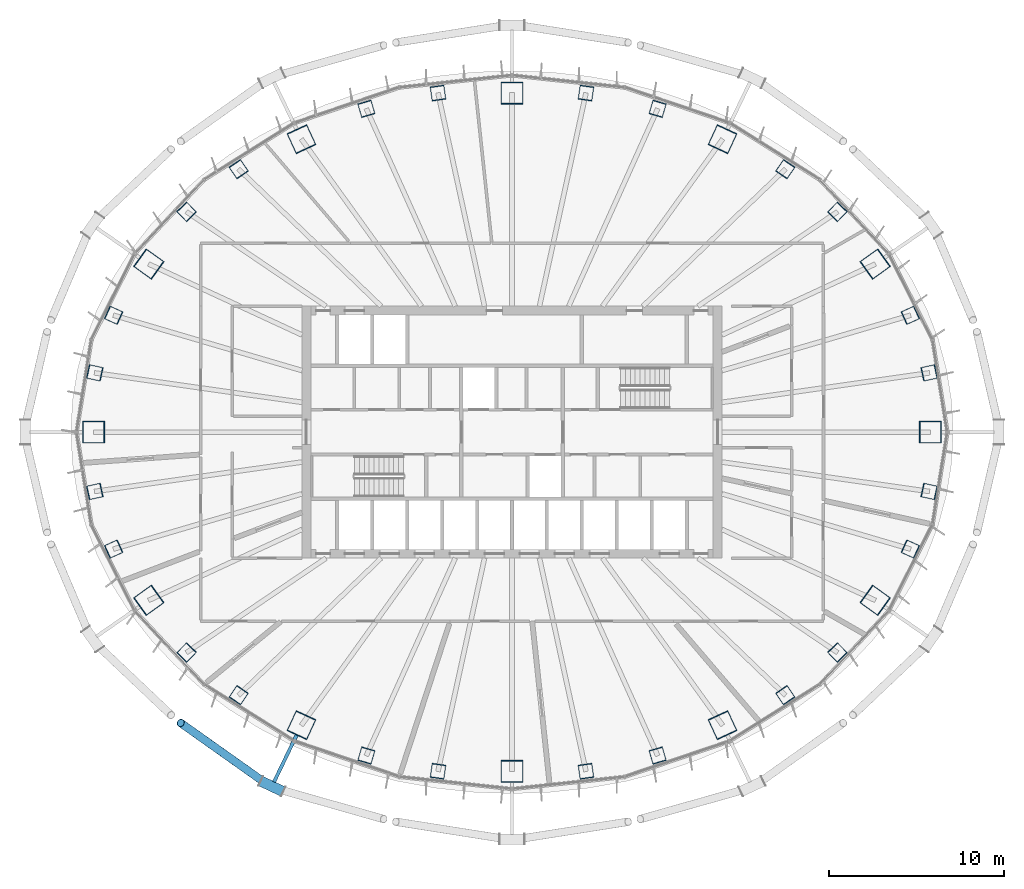
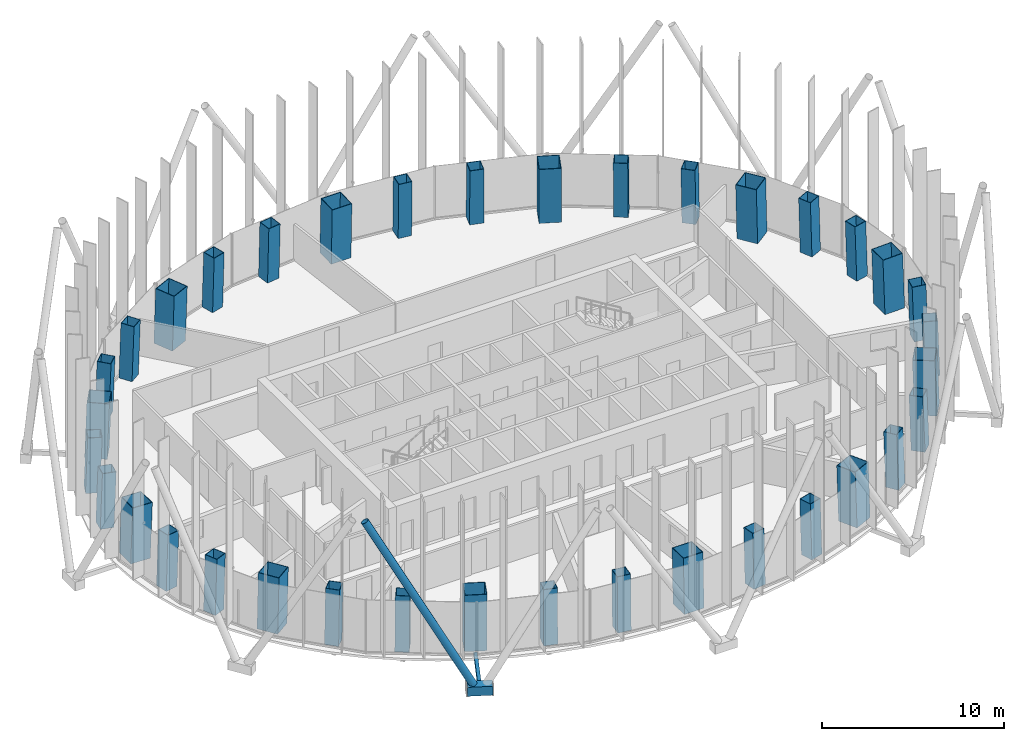
# One storey, part 1 of 19: 36 columns, 3 members.
"""IFC4 building model written with IfcOpenShell, lengths in metres."""

from ifc_helpers import new_model, si_unit, direction, frame, origin, origin_2d, place, context, subcontext, project, spatial, hollow_rectangle, hollow_circle, extrude, material, material_profile, profile_set, type_object, element, save


model = new_model("IFC4")

# Units and contexts
model_context = context("Model", 3, precision=1e-05, world=origin(), true_north=direction((0.0, 1.0)))
body_context = subcontext(model_context, "Body", "Model", "MODEL_VIEW")
ifc_project = project(units=[si_unit("LENGTHUNIT", "METRE"), si_unit("AREAUNIT", "SQUARE_METRE"), si_unit("VOLUMEUNIT", "CUBIC_METRE"), si_unit("PLANEANGLEUNIT", "RADIAN"), si_unit("MASSUNIT", "GRAM", prefix="KILO")], contexts=[model_context])

# Site, building, storey
site_placement = place(None, origin())
site = spatial("IfcSite", under=ifc_project, at=site_placement, CompositionType="ELEMENT")
building_placement = place(site_placement, origin())
building = spatial("IfcBuilding", under=site, at=building_placement, Name="Siaravel Broadcast Tower", CompositionType="ELEMENT")
storey_placement = place(building_placement, frame((0.0, 0.0, 130.39990234375)))
storey = spatial("IfcBuildingStorey", under=building, at=storey_placement, Name="L31", CompositionType="ELEMENT", Elevation=130.39990234375)

# Columns
ifc_material_1 = material(Name="Concrete C60/75", Category="concrete")
ifc_material_profile_1 = material_profile(ifc_material_1, hollow_rectangle(XDim=1.25, YDim=1.25, WallThickness=0.031982421875, at=origin_2d()))
ifc_profile_set_1 = profile_set([ifc_material_profile_1], Name="Concrete C60/75")
column_type_1 = type_object("IfcColumnType", Name="COL-CFT BOX 1250x1250x32", PredefinedType="COLUMN", material=ifc_profile_set_1)
column_1_placement = place(storey_placement, frame((23.928955078125, 0.0, 0.0), z_axis=(-0.034553121, 0.0, 0.999402863), x_axis=(0.0, -1.0, 0.0)))
element("IfcColumn", 1, at=column_1_placement, inside=storey, type_object=column_type_1, Name="Megacolumn MC01", PredefinedType="COLUMN", context=body_context, shape_type="SweptSolid", body=[
    extrude(hollow_rectangle(XDim=1.25, YDim=1.25, WallThickness=0.031982421875, at=origin_2d()), origin(), (0.0, 0.0, 1.0), 3.702392578125),
])
column_2_placement = place(storey_placement, frame((20.776611328125, 9.6171875, 0.0), z_axis=(-0.029938693, -0.014178016, 0.999451179), x_axis=(0.583179319, -0.812321691, 0.00594578)))
element("IfcColumn", 2, at=column_2_placement, inside=storey, type_object=column_type_1, Name="Megacolumn MC02", PredefinedType="COLUMN", context=body_context, shape_type="SweptSolid", body=[
    extrude(hollow_rectangle(XDim=1.25, YDim=1.25, WallThickness=0.031982421875, at=origin_2d()), origin(), (0.0, 0.0, 1.0), 3.7021484375),
])
column_3_placement = place(storey_placement, frame((12.044189453125, 16.760498046875, 0.0), z_axis=(-0.017279098, -0.024533681, 0.999549664), x_axis=(0.907978887, -0.418980963, 0.005412348)))
element("IfcColumn", 3, at=column_3_placement, inside=storey, type_object=column_type_1, Name="Megacolumn MC03", PredefinedType="COLUMN", context=body_context, shape_type="SweptSolid", body=[
    extrude(hollow_rectangle(XDim=1.25, YDim=1.25, WallThickness=0.031982421875, at=origin_2d()), origin(), (0.0, 0.0, 1.0), 3.701904296875),
])
column_4_placement = place(storey_placement, frame((0.0, 19.401611328125, 0.0), z_axis=(0.0, -0.02836019, 0.999597769), x_axis=(1.0, 0.0, 0.0)))
element("IfcColumn", 4, at=column_4_placement, inside=storey, type_object=column_type_1, Name="Megacolumn MC04", PredefinedType="COLUMN", context=body_context, shape_type="SweptSolid", body=[
    extrude(hollow_rectangle(XDim=1.25, YDim=1.25, WallThickness=0.031982421875, at=origin_2d()), origin(), (0.0, 0.0, 1.0), 3.70166015625),
])
column_5_placement = place(storey_placement, frame((-12.044189453125, 16.760498046875, 0.0), z_axis=(0.017279098, -0.024533681, 0.999549664), x_axis=(0.907978887, 0.418980963, -0.005412348)))
element("IfcColumn", 5, at=column_5_placement, inside=storey, type_object=column_type_1, Name="Megacolumn MC05", PredefinedType="COLUMN", context=body_context, shape_type="SweptSolid", body=[
    extrude(hollow_rectangle(XDim=1.25, YDim=1.25, WallThickness=0.031982421875, at=origin_2d()), origin(), (0.0, 0.0, 1.0), 3.701904296875),
])
column_6_placement = place(storey_placement, frame((-20.776611328125, 9.6171875, 0.0), z_axis=(0.029938693, -0.014178016, 0.999451179), x_axis=(0.583179319, 0.812321691, -0.00594578)))
element("IfcColumn", 6, at=column_6_placement, inside=storey, type_object=column_type_1, Name="Megacolumn MC06", PredefinedType="COLUMN", context=body_context, shape_type="SweptSolid", body=[
    extrude(hollow_rectangle(XDim=1.25, YDim=1.25, WallThickness=0.031982421875, at=origin_2d()), origin(), (0.0, 0.0, 1.0), 3.7021484375),
])
column_7_placement = place(storey_placement, frame((-23.928955078125, 0.0, 0.0), z_axis=(0.034553121, 0.0, 0.999402863), x_axis=(0.0, 1.0, 0.0)))
element("IfcColumn", 7, at=column_7_placement, inside=storey, type_object=column_type_1, Name="Megacolumn MC07", PredefinedType="COLUMN", context=body_context, shape_type="SweptSolid", body=[
    extrude(hollow_rectangle(XDim=1.25, YDim=1.25, WallThickness=0.031982421875, at=origin_2d()), origin(), (0.0, 0.0, 1.0), 3.702392578125),
])
column_8_placement = place(storey_placement, frame((-20.776611328125, -9.6171875, 0.0), z_axis=(0.029938693, 0.014178016, 0.999451179), x_axis=(-0.583179319, 0.812321691, 0.00594578)))
element("IfcColumn", 8, at=column_8_placement, inside=storey, type_object=column_type_1, Name="Megacolumn MC08", PredefinedType="COLUMN", context=body_context, shape_type="SweptSolid", body=[
    extrude(hollow_rectangle(XDim=1.25, YDim=1.25, WallThickness=0.031982421875, at=origin_2d()), origin(), (0.0, 0.0, 1.0), 3.7021484375),
])
column_9_placement = place(storey_placement, frame((-12.044189453125, -16.760498046875, 0.0), z_axis=(0.017279098, 0.024533681, 0.999549664), x_axis=(-0.907978887, 0.418980963, 0.005412348)))
element("IfcColumn", 9, at=column_9_placement, inside=storey, type_object=column_type_1, Name="Megacolumn MC09", PredefinedType="COLUMN", context=body_context, shape_type="SweptSolid", body=[
    extrude(hollow_rectangle(XDim=1.25, YDim=1.25, WallThickness=0.031982421875, at=origin_2d()), origin(), (0.0, 0.0, 1.0), 3.701904296875),
])
column_10_placement = place(storey_placement, frame((0.0, -19.401611328125, 0.0), z_axis=(0.0, 0.02836019, 0.999597769), x_axis=(-1.0, 0.0, 0.0)))
element("IfcColumn", 10, at=column_10_placement, inside=storey, type_object=column_type_1, Name="Megacolumn MC10", PredefinedType="COLUMN", context=body_context, shape_type="SweptSolid", body=[
    extrude(hollow_rectangle(XDim=1.25, YDim=1.25, WallThickness=0.031982421875, at=origin_2d()), origin(), (0.0, 0.0, 1.0), 3.70166015625),
])
column_11_placement = place(storey_placement, frame((12.044189453125, -16.760498046875, 0.0), z_axis=(-0.017279098, 0.024533681, 0.999549664), x_axis=(-0.907978887, -0.418980963, -0.005412348)))
element("IfcColumn", 11, at=column_11_placement, inside=storey, type_object=column_type_1, Name="Megacolumn MC11", PredefinedType="COLUMN", context=body_context, shape_type="SweptSolid", body=[
    extrude(hollow_rectangle(XDim=1.25, YDim=1.25, WallThickness=0.031982421875, at=origin_2d()), origin(), (0.0, 0.0, 1.0), 3.701904296875),
])
column_12_placement = place(storey_placement, frame((20.776611328125, -9.6171875, 0.0), z_axis=(-0.029938693, 0.014178016, 0.999451179), x_axis=(-0.583179319, -0.812321691, -0.00594578)))
element("IfcColumn", 12, at=column_12_placement, inside=storey, type_object=column_type_1, Name="Megacolumn MC12", PredefinedType="COLUMN", context=body_context, shape_type="SweptSolid", body=[
    extrude(hollow_rectangle(XDim=1.25, YDim=1.25, WallThickness=0.031982421875, at=origin_2d()), origin(), (0.0, 0.0, 1.0), 3.7021484375),
])
ifc_material_profile_2 = material_profile(ifc_material_1, hollow_rectangle(XDim=0.800048828125, YDim=0.800048828125, WallThickness=0.02490234375, at=origin_2d()))
ifc_profile_set_2 = profile_set([ifc_material_profile_2], Name="Concrete C60/75")
column_type_2 = type_object("IfcColumnType", Name="COL-CFT BOX 800x800x25", PredefinedType="COLUMN", material=ifc_profile_set_2)
for number, where, z_axis, x_axis, name in (
    (13, (23.86669921875, 3.3916015625, 0.0), (-0.034091668, -0.004879658, 0.999406798), (0.211379042, -0.977401123, 0.002438327), "Perimeter column C01"),
    (14, (22.78857421875, 6.68701171875, 0.0), (-0.032509649, -0.009693546, 0.999424413), (0.409965231, -0.912090104, 0.004489022), "Perimeter column C02"),
):
    element("IfcColumn", number, at=place(storey_placement, frame(where, z_axis=z_axis, x_axis=x_axis)), inside=storey, type_object=column_type_2, Name=name, PredefinedType="COLUMN", context=body_context, shape_type="SweptSolid", body=[
        extrude(hollow_rectangle(XDim=0.800048828125, YDim=0.800048828125, WallThickness=0.02490234375, at=origin_2d()), origin(), (0.0, 0.0, 1.0), 3.702392578125),
    ])
column_13_placement = place(storey_placement, frame((18.614501953125, 12.605712890625, 0.0), z_axis=(-0.026510431, -0.018201192, 0.999482823), x_axis=(0.719947485, -0.693998498, 0.006457858)))
element("IfcColumn", 15, at=column_13_placement, inside=storey, type_object=column_type_2, Name="Perimeter column C03", PredefinedType="COLUMN", context=body_context, shape_type="SweptSolid", body=[
    extrude(hollow_rectangle(XDim=0.800048828125, YDim=0.800048828125, WallThickness=0.02490234375, at=origin_2d()), origin(), (0.0, 0.0, 1.0), 3.7021484375),
])
column_14_placement = place(storey_placement, frame((15.63525390625, 15.0458984375, 0.0), z_axis=(-0.02222469, -0.021697101, 0.999517533), x_axis=(0.828096542, -0.560550728, 0.006244876)))
element("IfcColumn", 16, at=column_14_placement, inside=storey, type_object=column_type_2, Name="Perimeter column C04", PredefinedType="COLUMN", context=body_context, shape_type="SweptSolid", body=[
    extrude(hollow_rectangle(XDim=0.800048828125, YDim=0.800048828125, WallThickness=0.02490234375, at=origin_2d()), origin(), (0.0, 0.0, 1.0), 3.701904296875),
])
for number, where, z_axis, x_axis, name in (
    (17, (8.331787109375, 18.49853515625, 0.0), (-0.011805488, -0.026644788, 0.999575253), (0.960023728, -0.279891776, 0.003877538), "Perimeter column C05"),
    (18, (4.23193359375, 19.398193359375, 0.0), (-0.006001778, -0.027898372, 0.999592747), (0.990132799, -0.140117458, 0.002034336), "Perimeter column C06"),
    (19, (-4.23193359375, 19.398193359375, 0.0), (0.006001778, -0.027898372, 0.999592747), (0.990132799, 0.140117458, -0.002034336), "Perimeter column C07"),
    (20, (-8.331787109375, 18.49853515625, 0.0), (0.011805488, -0.026644788, 0.999575253), (0.960023728, 0.279891776, -0.003877538), "Perimeter column C08"),
):
    element("IfcColumn", number, at=place(storey_placement, frame(where, z_axis=z_axis, x_axis=x_axis)), inside=storey, type_object=column_type_2, Name=name, PredefinedType="COLUMN", context=body_context, shape_type="SweptSolid", body=[
        extrude(hollow_rectangle(XDim=0.800048828125, YDim=0.800048828125, WallThickness=0.02490234375, at=origin_2d()), origin(), (0.0, 0.0, 1.0), 3.70166015625),
    ])
column_15_placement = place(storey_placement, frame((-15.63525390625, 15.0458984375, 0.0), z_axis=(0.02222469, -0.021697101, 0.999517533), x_axis=(0.828096542, 0.560550728, -0.006244876)))
element("IfcColumn", 21, at=column_15_placement, inside=storey, type_object=column_type_2, Name="Perimeter column C09", PredefinedType="COLUMN", context=body_context, shape_type="SweptSolid", body=[
    extrude(hollow_rectangle(XDim=0.800048828125, YDim=0.800048828125, WallThickness=0.02490234375, at=origin_2d()), origin(), (0.0, 0.0, 1.0), 3.701904296875),
])
column_16_placement = place(storey_placement, frame((-18.614501953125, 12.605712890625, 0.0), z_axis=(0.026510431, -0.018201192, 0.999482823), x_axis=(0.719947485, 0.693998498, -0.006457858)))
element("IfcColumn", 22, at=column_16_placement, inside=storey, type_object=column_type_2, Name="Perimeter column C10", PredefinedType="COLUMN", context=body_context, shape_type="SweptSolid", body=[
    extrude(hollow_rectangle(XDim=0.800048828125, YDim=0.800048828125, WallThickness=0.02490234375, at=origin_2d()), origin(), (0.0, 0.0, 1.0), 3.7021484375),
])
for number, where, z_axis, x_axis, name in (
    (23, (-22.78857421875, 6.68701171875, 0.0), (0.032509649, -0.009693546, 0.999424413), (0.409965231, 0.912090104, -0.004489022), "Perimeter column C11"),
    (24, (-23.86669921875, 3.3916015625, 0.0), (0.034091668, -0.004879658, 0.999406798), (0.211379042, 0.977401123, -0.002438327), "Perimeter column C12"),
    (25, (-23.86669921875, -3.3916015625, 0.0), (0.034091668, 0.004879658, 0.999406798), (-0.211379042, 0.977401123, 0.002438327), "Perimeter column C13"),
    (26, (-22.78857421875, -6.68701171875, 0.0), (0.032509649, 0.009693546, 0.999424413), (-0.409965231, 0.912090104, 0.004489022), "Perimeter column C14"),
):
    element("IfcColumn", number, at=place(storey_placement, frame(where, z_axis=z_axis, x_axis=x_axis)), inside=storey, type_object=column_type_2, Name=name, PredefinedType="COLUMN", context=body_context, shape_type="SweptSolid", body=[
        extrude(hollow_rectangle(XDim=0.800048828125, YDim=0.800048828125, WallThickness=0.02490234375, at=origin_2d()), origin(), (0.0, 0.0, 1.0), 3.702392578125),
    ])
column_17_placement = place(storey_placement, frame((-18.614501953125, -12.605712890625, 0.0), z_axis=(0.026510431, 0.018201192, 0.999482823), x_axis=(-0.719947485, 0.693998498, 0.006457858)))
element("IfcColumn", 27, at=column_17_placement, inside=storey, type_object=column_type_2, Name="Perimeter column C15", PredefinedType="COLUMN", context=body_context, shape_type="SweptSolid", body=[
    extrude(hollow_rectangle(XDim=0.800048828125, YDim=0.800048828125, WallThickness=0.02490234375, at=origin_2d()), origin(), (0.0, 0.0, 1.0), 3.7021484375),
])
column_18_placement = place(storey_placement, frame((-15.63525390625, -15.0458984375, 0.0), z_axis=(0.02222469, 0.021697101, 0.999517533), x_axis=(-0.828096542, 0.560550728, 0.006244876)))
element("IfcColumn", 28, at=column_18_placement, inside=storey, type_object=column_type_2, Name="Perimeter column C16", PredefinedType="COLUMN", context=body_context, shape_type="SweptSolid", body=[
    extrude(hollow_rectangle(XDim=0.800048828125, YDim=0.800048828125, WallThickness=0.02490234375, at=origin_2d()), origin(), (0.0, 0.0, 1.0), 3.701904296875),
])
for number, where, z_axis, x_axis, name in (
    (29, (-8.331787109375, -18.49853515625, 0.0), (0.011805488, 0.026644788, 0.999575253), (-0.960023728, 0.279891776, 0.003877538), "Perimeter column C17"),
    (30, (-4.23193359375, -19.398193359375, 0.0), (0.006001778, 0.027898372, 0.999592747), (-0.990132799, 0.140117458, 0.002034336), "Perimeter column C18"),
    (31, (4.23193359375, -19.398193359375, 0.0), (-0.006001778, 0.027898372, 0.999592747), (-0.990132799, -0.140117458, -0.002034336), "Perimeter column C19"),
    (32, (8.331787109375, -18.49853515625, 0.0), (-0.011805488, 0.026644788, 0.999575253), (-0.960023728, -0.279891776, -0.003877538), "Perimeter column C20"),
):
    element("IfcColumn", number, at=place(storey_placement, frame(where, z_axis=z_axis, x_axis=x_axis)), inside=storey, type_object=column_type_2, Name=name, PredefinedType="COLUMN", context=body_context, shape_type="SweptSolid", body=[
        extrude(hollow_rectangle(XDim=0.800048828125, YDim=0.800048828125, WallThickness=0.02490234375, at=origin_2d()), origin(), (0.0, 0.0, 1.0), 3.70166015625),
    ])
column_19_placement = place(storey_placement, frame((15.63525390625, -15.0458984375, 0.0), z_axis=(-0.02222469, 0.021697101, 0.999517533), x_axis=(-0.828096542, -0.560550728, -0.006244876)))
element("IfcColumn", 33, at=column_19_placement, inside=storey, type_object=column_type_2, Name="Perimeter column C21", PredefinedType="COLUMN", context=body_context, shape_type="SweptSolid", body=[
    extrude(hollow_rectangle(XDim=0.800048828125, YDim=0.800048828125, WallThickness=0.02490234375, at=origin_2d()), origin(), (0.0, 0.0, 1.0), 3.701904296875),
])
column_20_placement = place(storey_placement, frame((18.614501953125, -12.605712890625, 0.0), z_axis=(-0.026510431, 0.018201192, 0.999482823), x_axis=(-0.719947485, -0.693998498, -0.006457858)))
element("IfcColumn", 34, at=column_20_placement, inside=storey, type_object=column_type_2, Name="Perimeter column C22", PredefinedType="COLUMN", context=body_context, shape_type="SweptSolid", body=[
    extrude(hollow_rectangle(XDim=0.800048828125, YDim=0.800048828125, WallThickness=0.02490234375, at=origin_2d()), origin(), (0.0, 0.0, 1.0), 3.7021484375),
])
for number, where, z_axis, x_axis, name in (
    (35, (22.78857421875, -6.68701171875, 0.0), (-0.032509649, 0.009693546, 0.999424413), (-0.409965231, -0.912090104, -0.004489022), "Perimeter column C23"),
    (36, (23.86669921875, -3.3916015625, 0.0), (-0.034091668, 0.004879658, 0.999406798), (-0.211379042, -0.977401123, -0.002438327), "Perimeter column C24"),
):
    element("IfcColumn", number, at=place(storey_placement, frame(where, z_axis=z_axis, x_axis=x_axis)), inside=storey, type_object=column_type_2, Name=name, PredefinedType="COLUMN", context=body_context, shape_type="SweptSolid", body=[
        extrude(hollow_rectangle(XDim=0.800048828125, YDim=0.800048828125, WallThickness=0.02490234375, at=origin_2d()), origin(), (0.0, 0.0, 1.0), 3.702392578125),
    ])

# Members
ifc_material_2 = material(Name="Steel S460", Category="steel")
ifc_material_profile_3 = material_profile(ifc_material_2, hollow_circle(Radius=0.228515625, WallThickness=0.02001953125, at=origin_2d()))
ifc_profile_set_3 = profile_set([ifc_material_profile_3], Name="Steel S460")
member_type_1 = type_object("IfcMemberType", Name="Diagrid diagonal CHS 457x20", PredefinedType="BRACE", material=ifc_profile_set_3)
member_1_placement = place(storey_placement, frame((-14.039794921875, -20.09130859375, 0.070068359375), z_axis=(-0.40322927, 0.285795755, 0.869325567), x_axis=(-0.578253125, -0.815857416, 0.0)))
element("IfcMember", 37, at=member_1_placement, inside=storey, type_object=member_type_1, Name="Diagrid diagonal R13 station 48C", PredefinedType="BRACE", context=body_context, shape_type="SweptSolid", body=[
    extrude(hollow_circle(Radius=0.228515625, WallThickness=0.02001953125, at=origin_2d()), origin(), (0.0, 0.0, 1.0), 12.1474609375),
])
ifc_material_profile_4 = material_profile(ifc_material_2, hollow_rectangle(XDim=0.60009765625, YDim=0.60009765625, WallThickness=0.0400390625, at=origin_2d()))
ifc_profile_set_4 = profile_set([ifc_material_profile_4], Name="Steel S460")
member_type_2 = type_object("IfcMemberType", Name="Diagrid node BOX 600x600x40", PredefinedType="USERDEFINED", material=ifc_profile_set_4)
member_2_placement = place(storey_placement, frame((-14.354736328125, -19.9423828125, -0.199951171875), z_axis=(0.904014668, -0.427501438, 0.0), x_axis=(0.427501438, 0.904014668, 0.0)))
element("IfcMember", 38, at=member_2_placement, inside=storey, type_object=member_type_2, Name="Diagrid node R13 station 48", ObjectType="DIAGRID NODE", PredefinedType="USERDEFINED", context=body_context, shape_type="SweptSolid", body=[
    extrude(hollow_rectangle(XDim=0.60009765625, YDim=0.60009765625, WallThickness=0.0400390625, at=origin_2d()), origin(), (0.0, 0.0, 1.0), 1.399658203125),
])
ifc_material_profile_5 = material_profile(ifc_material_2, hollow_rectangle(XDim=0.199951171875, YDim=0.300048828125, WallThickness=0.012451171875, at=origin_2d()))
ifc_profile_set_5 = profile_set([ifc_material_profile_5], Name="Steel S460")
member_type_3 = type_object("IfcMemberType", Name="Diagrid node arm RHS 300x200x12.5", PredefinedType="STRUT", material=ifc_profile_set_5)
member_3_placement = place(storey_placement, frame((-12.302490234375, -17.29638671875, -0.199951171875), z_axis=(-0.434241398, -0.900796541, 0.0), x_axis=(0.900796541, -0.434241398, 0.0)))
element("IfcMember", 39, at=member_3_placement, inside=storey, type_object=member_type_3, Name="Node arm R13 station 48", PredefinedType="STRUT", context=body_context, shape_type="SweptSolid", body=[
    extrude(hollow_rectangle(XDim=0.199951171875, YDim=0.300048828125, WallThickness=0.012451171875, at=origin_2d()), origin(), (0.0, 0.0, 1.0), 2.99951171875),
])

save(model, "model.ifc")
